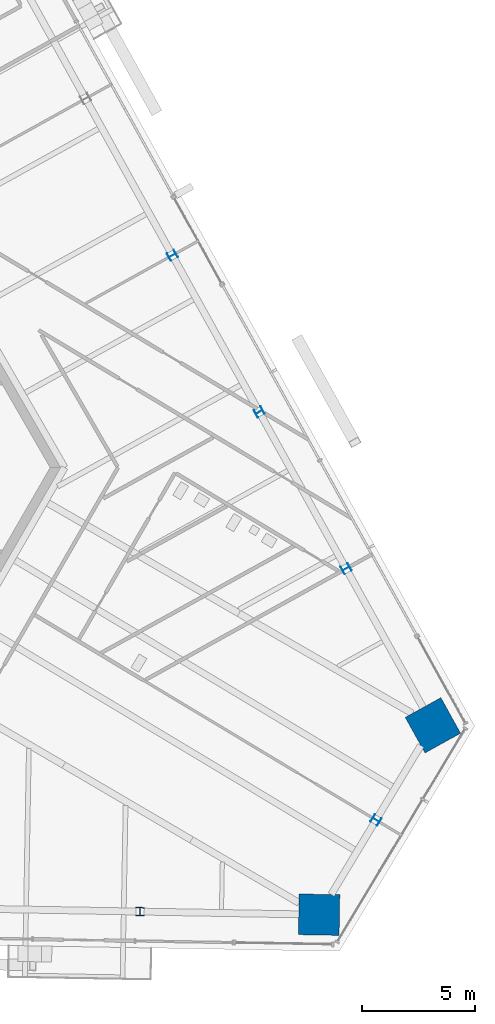
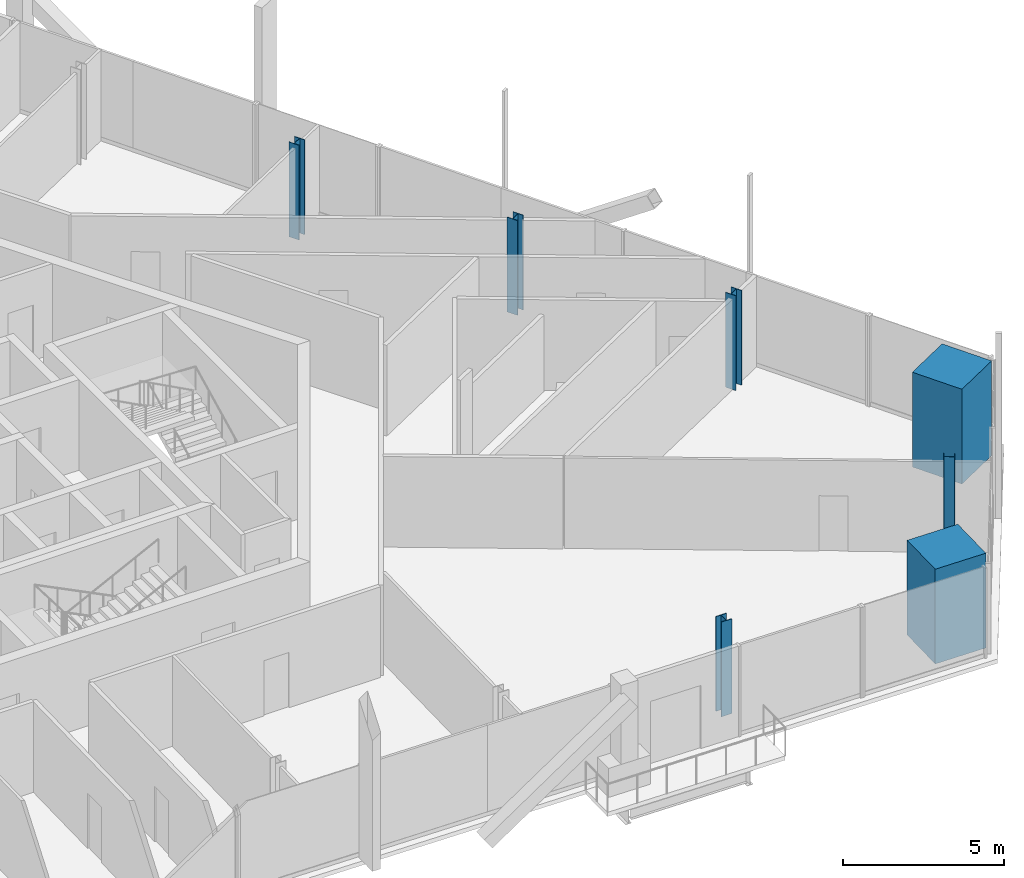
# One storey, part 2 of 21: 7 columns.
"""IFC4 building model written with IfcOpenShell, lengths in metres."""

from ifc_helpers import new_model, si_unit, direction, frame, origin, origin_2d, place, context, subcontext, project, spatial, rectangle, i_section, extrude, source, transform, mapped, material, material_profile, profile_set, type_object, element, save


model = new_model("IFC4")

# Units and contexts
model_context = context("Model", 3, precision=1e-05, world=origin(), true_north=direction((0.0, 1.0)))
body_context = subcontext(model_context, "Body", "Model", "MODEL_VIEW")
ifc_project = project(units=[si_unit("LENGTHUNIT", "METRE"), si_unit("AREAUNIT", "SQUARE_METRE"), si_unit("VOLUMEUNIT", "CUBIC_METRE"), si_unit("PLANEANGLEUNIT", "RADIAN"), si_unit("MASSUNIT", "GRAM", prefix="KILO")], contexts=[model_context])

# Site, building, storey
site_placement = place(None, origin())
site = spatial("IfcSite", under=ifc_project, at=site_placement, CompositionType="ELEMENT")
building_placement = place(site_placement, origin())
building = spatial("IfcBuilding", under=site, at=building_placement, Name="Triune Harvest Tower", CompositionType="ELEMENT")
storey_placement = place(building_placement, frame((0.0, 0.0, 201.5)))
storey = spatial("IfcBuildingStorey", under=building, at=storey_placement, Name="L52", CompositionType="ELEMENT", Elevation=201.5)

# Columns
ifc_material_1 = material(Name="Concrete 70 MPa", Category="concrete")
ifc_material_profile_1 = material_profile(ifc_material_1, rectangle(XDim=1.800048828125, YDim=1.800048828125, at=origin_2d()), Name="Composite 1800x1800")
ifc_profile_set_1 = profile_set([ifc_material_profile_1], Name="Concrete 70 MPa")
column_type_1 = type_object("IfcColumnType", Name="MC-5 Mega column Composite 1800x1800", PredefinedType="COLUMN", material=ifc_profile_set_1)
shared_shape_1 = source(origin(), body_context, "Body", "SweptSolid", [
    extrude(rectangle(XDim=1.800048828125, YDim=1.800048828125, at=origin_2d()), origin(), (0.0, 0.0, 1.0), 3.60009765625),
])
for number, where, z_axis, x_axis, name in (
    (1, (28.475341796875, -11.40673828125, 0.0), (0.0, 0.0, 1.0), (-0.484809620246, 0.874619707139, 0.0), "col/L52/M0"),
    (2, (23.43994140625, -19.787109375, 0.0), (0.0, 0.0, 1.0), (0.999847695156, -0.017452406437, 0.0), "col/L52/M22"),
):
    element("IfcColumn", number, at=place(storey_placement, frame(where, z_axis=z_axis, x_axis=x_axis)), inside=storey, type_object=column_type_1, Name=name, PredefinedType="COLUMN", context=body_context, shape_type="MappedRepresentation", body=[
        mapped(shared_shape_1, transform((0.0, 0.0, 0.0), scale=1.0)),
    ])
ifc_material_2 = material(Name="Steel ASTM A992 Gr 50", Category="steel")
ifc_material_profile_2 = material_profile(ifc_material_2, i_section(OverallWidth=0.370849609375, OverallDepth=0.36328125, WebThickness=0.013427734375, FlangeThickness=0.021728515625, at=origin_2d()), Name="W14x109")
ifc_profile_set_2 = profile_set([ifc_material_profile_2], Name="Steel ASTM A992 Gr 50")
column_type_2 = type_object("IfcColumnType", Name="PC-5 Perimeter column W14x109", PredefinedType="COLUMN", material=ifc_profile_set_2)
shared_shape_2 = source(origin(), body_context, "Body", "SweptSolid", [
    extrude(i_section(OverallWidth=0.370849609375, OverallDepth=0.36328125, WebThickness=0.013427734375, FlangeThickness=0.021728515625, at=origin_2d()), origin(), (0.0, 0.0, 1.0), 3.60009765625),
])
for number, where, z_axis, x_axis, name in (
    (3, (24.632080078125, -4.473388671875, 0.0), (0.0, 0.0, 1.0), (-0.484809620246, 0.874619707139, 0.0), "col/L52/P1"),
    (4, (20.788818359375, 2.459716796875, 0.0), (0.0, 0.0, 1.0), (-0.484809620246, 0.874619707139, 0.0), "col/L52/P2"),
    (5, (16.94580078125, 9.39306640625, 0.0), (0.0, 0.0, 1.0), (-0.484809620246, 0.874619707139, 0.0), "col/L52/P3"),
    (6, (15.513916015625, -19.648681640625, 0.0), (0.0, 0.0, 1.0), (0.999847695156, -0.017452406437, 0.0), "col/L52/P21"),
    (7, (25.95751953125, -15.596923828125, 0.0), (0.0, 0.0, 1.0), (0.515039570948, 0.85716640179, 0.0), "col/L52/P23"),
):
    element("IfcColumn", number, at=place(storey_placement, frame(where, z_axis=z_axis, x_axis=x_axis)), inside=storey, type_object=column_type_2, Name=name, PredefinedType="COLUMN", context=body_context, shape_type="MappedRepresentation", body=[
        mapped(shared_shape_2, transform((0.0, 0.0, 0.0), scale=1.0)),
    ])

save(model, "model.ifc")
